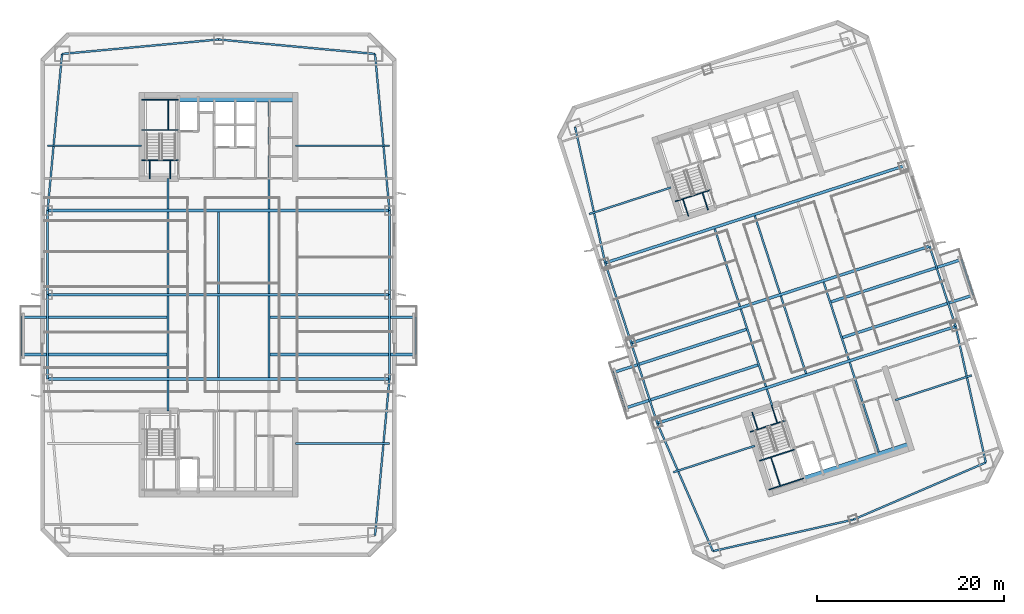
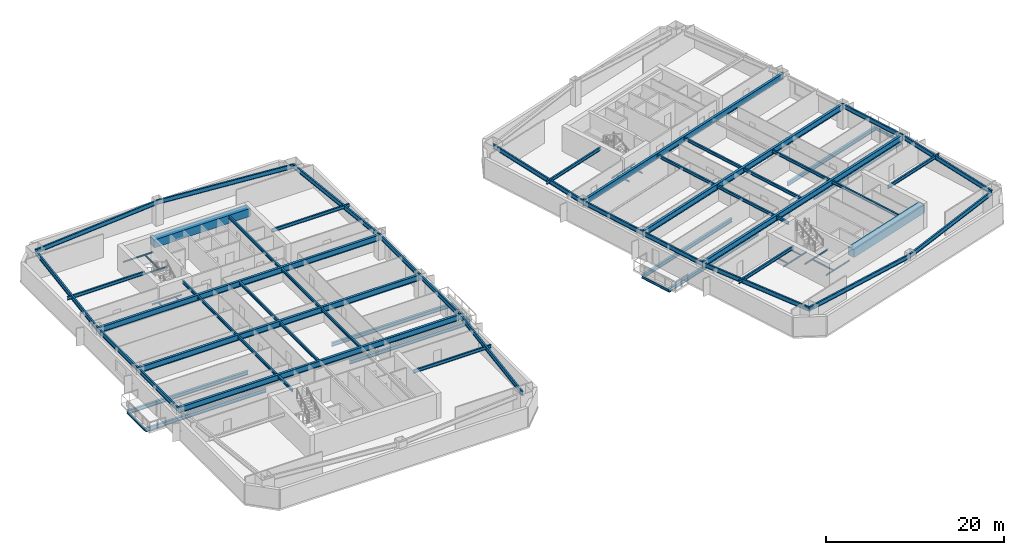
# One storey, part 2 of 16: 74 beams.
"""IFC4 building model written with IfcOpenShell, lengths in metres."""

from ifc_helpers import new_model, si_unit, direction, frame, origin, origin_2d, place, context, subcontext, project, spatial, rectangle, i_section, extrude, material, material_profile, profile_set, type_object, element, save


model = new_model("IFC4")

# Units and contexts
model_context = context("Model", 3, precision=1e-05, world=origin(), true_north=direction((0.0, 1.0)))
body_context = subcontext(model_context, "Body", "Model", "MODEL_VIEW")
ifc_project = project(units=[si_unit("LENGTHUNIT", "METRE"), si_unit("AREAUNIT", "SQUARE_METRE"), si_unit("VOLUMEUNIT", "CUBIC_METRE"), si_unit("PLANEANGLEUNIT", "RADIAN"), si_unit("MASSUNIT", "GRAM", prefix="KILO")], contexts=[model_context])

# Site, building, storey
site_placement = place(None, origin())
site = spatial("IfcSite", under=ifc_project, at=site_placement, CompositionType="ELEMENT")
building_placement = place(site_placement, origin())
building = spatial("IfcBuilding", under=site, at=building_placement, Name="Qiaolan Cultural Towers", CompositionType="ELEMENT")
storey_placement = place(building_placement, frame((0.0, 0.0, 110.39990234375)))
storey = spatial("IfcBuildingStorey", under=building, at=storey_placement, Name="L28", CompositionType="ELEMENT", Elevation=110.39990234375)

# Beams
ifc_material_1 = material(Name="Steel Q355B", Category="steel")
ifc_material_profile_1 = material_profile(ifc_material_1, i_section(OverallWidth=0.300048828125, OverallDepth=0.488037109375, WebThickness=0.010986328125, FlangeThickness=0.01806640625, at=origin_2d()), Name="HM488x300x11x18")
ifc_profile_set_1 = profile_set([ifc_material_profile_1], Name="Steel Q355B")
beam_type_1 = type_object("IfcBeamType", Name="BM-HM488x300x11x18", PredefinedType="BEAM", material=ifc_profile_set_1)
for number, where, z_axis, x_axis, name in (
    (1, (24.60009765625, 27.60009765625, -0.52392578125), (-1.0, 0.0, 0.0), (0.0, -1.0, 0.0), "L28 T1 Tree Balcony Back-Spanned Bracket Beam"),
    (2, (24.60009765625, 31.60009765625, -0.52392578125), (-1.0, 0.0, 0.0), (0.0, -1.0, 0.0), "L28 T1 Tree Balcony Back-Spanned Bracket Beam"),
    (3, (35.39990234375, 27.60009765625, -0.52392578125), (1.0, 0.0, 0.0), (0.0, 1.0, 0.0), "L28 T1 Tree Balcony Back-Spanned Bracket Beam"),
    (4, (35.39990234375, 31.60009765625, -0.52392578125), (1.0, 0.0, 0.0), (0.0, 1.0, 0.0), "L28 T1 Tree Balcony Back-Spanned Bracket Beam"),
):
    element("IfcBeam", number, at=place(storey_placement, frame(where, z_axis=z_axis, x_axis=x_axis)), inside=storey, type_object=beam_type_1, Name=name, PredefinedType="BEAM", context=body_context, shape_type="SweptSolid", body=[
        extrude(i_section(OverallWidth=0.300048828125, OverallDepth=0.488037109375, WebThickness=0.010986328125, FlangeThickness=0.01806640625, at=origin_2d()), origin(), (0.0, 0.0, 1.0), 15.650146484375),
    ])
for number, where, z_axis, x_axis, name in (
    (5, (87.697998046875, 26.522705078125, -0.52392578125), (-0.951058384903, -0.309011243331, 0.0), (0.309011243331, -0.951058384903, 0.0), "L28 T2 Tree Balcony Back-Spanned Bracket Beam"),
    (6, (86.4619140625, 30.326904296875, -0.52392578125), (-0.951058384903, -0.309011243331, 0.0), (0.309011243331, -0.951058384903, 0.0), "L28 T2 Tree Balcony Back-Spanned Bracket Beam"),
):
    element("IfcBeam", number, at=place(storey_placement, frame(where, z_axis=z_axis, x_axis=x_axis)), inside=storey, type_object=beam_type_1, Name=name, PredefinedType="BEAM", context=body_context, shape_type="SweptSolid", body=[
        extrude(i_section(OverallWidth=0.300048828125, OverallDepth=0.488037109375, WebThickness=0.010986328125, FlangeThickness=0.01806640625, at=origin_2d()), origin(), (0.0, 0.0, 1.0), 15.050048828125),
    ])
for number, where, z_axis, x_axis, name in (
    (7, (96.542724609375, 29.396484375, -0.52392578125), (0.951054379921, 0.309023569382, 0.0), (-0.309023569382, 0.951054379921, 0.0), "L28 T2 Tree Balcony Back-Spanned Bracket Beam"),
    (8, (95.306640625, 33.20068359375, -0.52392578125), (0.951054379921, 0.309023569382, 0.0), (-0.309023569382, 0.951054379921, 0.0), "L28 T2 Tree Balcony Back-Spanned Bracket Beam"),
):
    element("IfcBeam", number, at=place(storey_placement, frame(where, z_axis=z_axis, x_axis=x_axis)), inside=storey, type_object=beam_type_1, Name=name, PredefinedType="BEAM", context=body_context, shape_type="SweptSolid", body=[
        extrude(i_section(OverallWidth=0.300048828125, OverallDepth=0.488037109375, WebThickness=0.010986328125, FlangeThickness=0.01806640625, at=origin_2d()), origin(), (0.0, 0.0, 1.0), 14.75),
    ])
ifc_material_2 = material(Name="Steel Q355B", Category="steel")
ifc_material_profile_2 = material_profile(ifc_material_2, i_section(OverallWidth=0.300048828125, OverallDepth=0.800048828125, WebThickness=0.013916015625, FlangeThickness=0.02587890625, at=origin_2d()), Name="HN800x300x14x26")
ifc_profile_set_2 = profile_set([ifc_material_profile_2], Name="Steel Q355B")
beam_type_2 = type_object("IfcBeamType", Name="BM-HN800x300x14x26", PredefinedType="BEAM", material=ifc_profile_set_2)
for number, where, z_axis, x_axis, name in (
    (9, (11.75, 25.0, 2.7900390625), (1.0, 0.0, 0.0), (0.0, 1.0, 0.0), "L28 T1 Primary Transverse Girder V1"),
    (10, (11.75, 34.0, 2.7900390625), (1.0, 0.0, 0.0), (0.0, 1.0, 0.0), "L28 T1 Primary Transverse Girder V2"),
    (11, (11.75, 43.0, 2.7900390625), (1.0, 0.0, 0.0), (0.0, 1.0, 0.0), "L28 T1 Primary Transverse Girder V3"),
):
    element("IfcBeam", number, at=place(storey_placement, frame(where, z_axis=z_axis, x_axis=x_axis)), inside=storey, type_object=beam_type_2, Name=name, PredefinedType="BEAM", context=body_context, shape_type="SweptSolid", body=[
        extrude(i_section(OverallWidth=0.300048828125, OverallDepth=0.800048828125, WebThickness=0.013916015625, FlangeThickness=0.02587890625, at=origin_2d()), origin(), (0.0, 0.0, 1.0), 36.5),
    ])
for number, where, z_axis, x_axis, name in (
    (12, (76.85107421875, 20.264404296875, 2.7900390625), (0.951056559899, 0.309016860175, 0.0), (-0.309016860175, 0.951056559899, 0.0), "L28 T2 Primary Transverse Girder V1"),
    (13, (74.06982421875, 28.823974609375, 2.7900390625), (0.951056559899, 0.309016860175, 0.0), (-0.309016860175, 0.951056559899, 0.0), "L28 T2 Primary Transverse Girder V2"),
    (14, (71.28857421875, 37.383544921875, 2.7900390625), (0.951056559899, 0.309016860175, 0.0), (-0.309016860175, 0.951056559899, 0.0), "L28 T2 Primary Transverse Girder V3"),
):
    element("IfcBeam", number, at=place(storey_placement, frame(where, z_axis=z_axis, x_axis=x_axis)), inside=storey, type_object=beam_type_2, Name=name, PredefinedType="BEAM", context=body_context, shape_type="SweptSolid", body=[
        extrude(i_section(OverallWidth=0.300048828125, OverallDepth=0.800048828125, WebThickness=0.013916015625, FlangeThickness=0.02587890625, at=origin_2d()), origin(), (0.0, 0.0, 1.0), 33.5),
    ])
ifc_material_3 = material(Name="Steel Q355B", Category="steel")
ifc_material_profile_3 = material_profile(ifc_material_3, i_section(OverallWidth=0.175048828125, OverallDepth=0.35009765625, WebThickness=0.007080078125, FlangeThickness=0.010986328125, at=origin_2d()), Name="HN350x175x7x11")
ifc_profile_set_3 = profile_set([ifc_material_profile_3], Name="Steel Q355B")
beam_type_3 = type_object("IfcBeamType", Name="BM-JST-HN350x175x7x11", PredefinedType="JOIST", material=ifc_profile_set_3)
for number, where, z_axis, x_axis, name in (
    (15, (8.949951171875, 27.60009765625, -0.52392578125), (0.0, 1.0, 0.0), (-1.0, 0.0, 0.0), "L28 T1 Tree Balcony Outer Edge Beam"),
    (16, (51.050048828125, 27.60009765625, -0.52392578125), (0.0, 1.0, 0.0), (-1.0, 0.0, 0.0), "L28 T1 Tree Balcony Outer Edge Beam"),
    (17, (73.384521484375, 21.8720703125, -0.52392578125), (-0.309022586479, 0.951054699292, 0.0), (-0.951054699292, -0.309022586479, 0.0), "L28 T2 Tree Balcony Outer Edge Beam"),
    (18, (110.57080078125, 33.95458984375, -0.52392578125), (-0.309022586479, 0.951054699292, 0.0), (-0.951054699292, -0.309022586479, 0.0), "L28 T2 Tree Balcony Outer Edge Beam"),
):
    element("IfcBeam", number, at=place(storey_placement, frame(where, z_axis=z_axis, x_axis=x_axis)), inside=storey, type_object=beam_type_3, Name=name, PredefinedType="JOIST", context=body_context, shape_type="SweptSolid", body=[
        extrude(i_section(OverallWidth=0.175048828125, OverallDepth=0.35009765625, WebThickness=0.007080078125, FlangeThickness=0.010986328125, at=origin_2d()), origin(), (0.0, 0.0, 1.0), 4.0),
    ])
ifc_material_4 = material(Name="Steel Q355B", Category="steel")
ifc_material_profile_4 = material_profile(ifc_material_4, i_section(OverallWidth=0.199951171875, OverallDepth=0.39990234375, WebThickness=0.008056640625, FlangeThickness=0.012939453125, at=origin_2d()), Name="HN400x200x8x13")
ifc_profile_set_4 = profile_set([ifc_material_profile_4], Name="Steel Q355B")
beam_type_4 = type_object("IfcBeamType", Name="BM-JST-HN400x200x8x13", PredefinedType="JOIST", material=ifc_profile_set_4)
beam_1_placement = place(storey_placement, frame((24.60009765625, 21.60009765625, 2.989990234375), z_axis=(0.0, 1.0, 0.0), x_axis=(-1.0, 0.0, 0.0)))
element("IfcBeam", 19, at=beam_1_placement, inside=storey, type_object=beam_type_4, Name="L28 T1 Secondary Floor Joist U1-1", PredefinedType="JOIST", context=body_context, shape_type="SweptSolid", body=[
    extrude(i_section(OverallWidth=0.199951171875, OverallDepth=0.39990234375, WebThickness=0.008056640625, FlangeThickness=0.012939453125, at=origin_2d()), origin(), (0.0, 0.0, 1.0), 3.25),
])
for number, where, z_axis, x_axis, name in (
    (20, (24.60009765625, 25.14990234375, 2.989990234375), (0.0, 1.0, 0.0), (-1.0, 0.0, 0.0), "L28 T1 Secondary Floor Joist U1-2"),
    (21, (24.60009765625, 34.14990234375, 2.989990234375), (0.0, 1.0, 0.0), (-1.0, 0.0, 0.0), "L28 T1 Secondary Floor Joist U1-3"),
):
    element("IfcBeam", number, at=place(storey_placement, frame(where, z_axis=z_axis, x_axis=x_axis)), inside=storey, type_object=beam_type_4, Name=name, PredefinedType="JOIST", context=body_context, shape_type="SweptSolid", body=[
        extrude(i_section(OverallWidth=0.199951171875, OverallDepth=0.39990234375, WebThickness=0.008056640625, FlangeThickness=0.012939453125, at=origin_2d()), origin(), (0.0, 0.0, 1.0), 8.7001953125),
    ])
beam_2_placement = place(storey_placement, frame((24.60009765625, 43.14990234375, 2.989990234375), z_axis=(0.0, 1.0, 0.0), x_axis=(-1.0, 0.0, 0.0)))
element("IfcBeam", 22, at=beam_2_placement, inside=storey, type_object=beam_type_4, Name="L28 T1 Secondary Floor Joist U1-4", PredefinedType="JOIST", context=body_context, shape_type="SweptSolid", body=[
    extrude(i_section(OverallWidth=0.199951171875, OverallDepth=0.39990234375, WebThickness=0.008056640625, FlangeThickness=0.012939453125, at=origin_2d()), origin(), (0.0, 0.0, 1.0), 3.25),
])
for number, where, z_axis, x_axis, name in (
    (23, (30.0, 25.14990234375, 2.989990234375), (0.0, 1.0, 0.0), (-1.0, 0.0, 0.0), "L28 T1 Secondary Floor Joist U2-2"),
    (24, (30.0, 34.14990234375, 2.989990234375), (0.0, 1.0, 0.0), (-1.0, 0.0, 0.0), "L28 T1 Secondary Floor Joist U2-3"),
    (25, (35.39990234375, 25.14990234375, 2.989990234375), (0.0, 1.0, 0.0), (-1.0, 0.0, 0.0), "L28 T1 Secondary Floor Joist U3-2"),
    (26, (35.39990234375, 34.14990234375, 2.989990234375), (0.0, 1.0, 0.0), (-1.0, 0.0, 0.0), "L28 T1 Secondary Floor Joist U3-3"),
):
    element("IfcBeam", number, at=place(storey_placement, frame(where, z_axis=z_axis, x_axis=x_axis)), inside=storey, type_object=beam_type_4, Name=name, PredefinedType="JOIST", context=body_context, shape_type="SweptSolid", body=[
        extrude(i_section(OverallWidth=0.199951171875, OverallDepth=0.39990234375, WebThickness=0.008056640625, FlangeThickness=0.012939453125, at=origin_2d()), origin(), (0.0, 0.0, 1.0), 8.7001953125),
    ])
beam_3_placement = place(storey_placement, frame((35.39990234375, 43.14990234375, 2.989990234375), z_axis=(0.0, 1.0, 0.0), x_axis=(-1.0, 0.0, 0.0)))
element("IfcBeam", 27, at=beam_3_placement, inside=storey, type_object=beam_type_4, Name="L28 T1 Secondary Floor Joist U3-4", PredefinedType="JOIST", context=body_context, shape_type="SweptSolid", body=[
    extrude(i_section(OverallWidth=0.199951171875, OverallDepth=0.39990234375, WebThickness=0.008056640625, FlangeThickness=0.012939453125, at=origin_2d()), origin(), (0.0, 0.0, 1.0), 11.4501953125),
])
beam_4_placement = place(storey_placement, frame((89.119384765625, 22.147705078125, 2.989990234375), z_axis=(-0.308933885266, 0.951083516067, 0.0), x_axis=(-0.951083516067, -0.308933885266, 0.0)))
element("IfcBeam", 28, at=beam_4_placement, inside=storey, type_object=beam_type_4, Name="L28 T2 Secondary Floor Joist U1-1", PredefinedType="JOIST", context=body_context, shape_type="SweptSolid", body=[
    extrude(i_section(OverallWidth=0.199951171875, OverallDepth=0.39990234375, WebThickness=0.008056640625, FlangeThickness=0.012939453125, at=origin_2d()), origin(), (0.0, 0.0, 1.0), 1.85009765625),
])
for number, where, z_axis, x_axis, name in (
    (29, (88.455078125, 24.192626953125, 2.989990234375), (-0.309020714809, 0.951055307445, 0.0), (-0.951055307445, -0.309020714809, 0.0), "L28 T2 Secondary Floor Joist U1-2"),
    (30, (85.673828125, 32.752197265625, 2.989990234375), (-0.309020714809, 0.951055307445, 0.0), (-0.951055307445, -0.309020714809, 0.0), "L28 T2 Secondary Floor Joist U1-3"),
    (31, (92.73486328125, 25.583251953125, 2.989990234375), (-0.309020714809, 0.951055307445, 0.0), (-0.951055307445, -0.309020714809, 0.0), "L28 T2 Secondary Floor Joist U2-2"),
    (32, (89.95361328125, 34.142578125, 2.989990234375), (-0.309020714809, 0.951055307445, 0.0), (-0.951055307445, -0.309020714809, 0.0), "L28 T2 Secondary Floor Joist U2-3"),
):
    element("IfcBeam", number, at=place(storey_placement, frame(where, z_axis=z_axis, x_axis=x_axis)), inside=storey, type_object=beam_type_4, Name=name, PredefinedType="JOIST", context=body_context, shape_type="SweptSolid", body=[
        extrude(i_section(OverallWidth=0.199951171875, OverallDepth=0.39990234375, WebThickness=0.008056640625, FlangeThickness=0.012939453125, at=origin_2d()), origin(), (0.0, 0.0, 1.0), 8.699951171875),
    ])
beam_5_placement = place(storey_placement, frame((100.498291015625, 17.222900390625, 2.989990234375), z_axis=(-0.309025649293, 0.951053704098, 0.0), x_axis=(-0.951053704098, -0.309025649293, 0.0)))
element("IfcBeam", 33, at=beam_5_placement, inside=storey, type_object=beam_type_4, Name="L28 T2 Secondary Floor Joist U3-1", PredefinedType="JOIST", context=body_context, shape_type="SweptSolid", body=[
    extrude(i_section(OverallWidth=0.199951171875, OverallDepth=0.39990234375, WebThickness=0.008056640625, FlangeThickness=0.012939453125, at=origin_2d()), origin(), (0.0, 0.0, 1.0), 10.050048828125),
])
beam_6_placement = place(storey_placement, frame((97.2998046875, 27.06640625, 2.989990234375), z_axis=(-0.309020714809, 0.951055307445, 0.0), x_axis=(-0.951055307445, -0.309020714809, 0.0)))
element("IfcBeam", 34, at=beam_6_placement, inside=storey, type_object=beam_type_4, Name="L28 T2 Secondary Floor Joist U3-2", PredefinedType="JOIST", context=body_context, shape_type="SweptSolid", body=[
    extrude(i_section(OverallWidth=0.199951171875, OverallDepth=0.39990234375, WebThickness=0.008056640625, FlangeThickness=0.012939453125, at=origin_2d()), origin(), (0.0, 0.0, 1.0), 8.699951171875),
])
ifc_material_5 = material(Name="Steel Q355B", Category="steel")
ifc_material_profile_5 = material_profile(ifc_material_5, i_section(OverallWidth=0.199951171875, OverallDepth=0.449951171875, WebThickness=0.009033203125, FlangeThickness=0.013916015625, at=origin_2d()), Name="HN450x200x9x14")
ifc_profile_set_5 = profile_set([ifc_material_profile_5], Name="Steel Q355B")
beam_type_5 = type_object("IfcBeamType", Name="BM-LNT-HN450x200x9x14", PredefinedType="LINTEL", material=ifc_profile_set_5)
for number, where, z_axis, x_axis, name in (
    (35, (21.800048828125, 49.89990234375, 2.965087890625), (-1.0, 0.0, 0.0), (0.0, -1.0, 0.0), "L28 T1 Core Flank Tie Lintel WN"),
    (36, (38.199951171875, 18.10009765625, 2.965087890625), (1.0, 0.0, 0.0), (0.0, 1.0, 0.0), "L28 T1 Core Flank Tie Lintel ES"),
    (37, (38.199951171875, 49.89990234375, 2.965087890625), (1.0, 0.0, 0.0), (0.0, 1.0, 0.0), "L28 T1 Core Flank Tie Lintel EN"),
):
    element("IfcBeam", number, at=place(storey_placement, frame(where, z_axis=z_axis, x_axis=x_axis)), inside=storey, type_object=beam_type_5, Name=name, PredefinedType="LINTEL", context=body_context, shape_type="SweptSolid", body=[
        extrude(i_section(OverallWidth=0.199951171875, OverallDepth=0.449951171875, WebThickness=0.009033203125, FlangeThickness=0.013916015625, at=origin_2d()), origin(), (0.0, 0.0, 1.0), 10.050048828125),
    ])
for number, where, z_axis, x_axis, name in (
    (38, (87.252685546875, 17.861083984375, 2.965087890625), (-0.951059948176, -0.309006431933, 0.0), (0.309006431933, -0.951059948176, 0.0), "L28 T2 Core Flank Tie Lintel WS"),
    (39, (78.291259765625, 45.44189453125, 2.965087890625), (-0.951052106475, -0.309030566076, 0.0), (0.309030566076, -0.951052106475, 0.0), "L28 T2 Core Flank Tie Lintel WN"),
):
    element("IfcBeam", number, at=place(storey_placement, frame(where, z_axis=z_axis, x_axis=x_axis)), inside=storey, type_object=beam_type_5, Name=name, PredefinedType="LINTEL", context=body_context, shape_type="SweptSolid", body=[
        extrude(i_section(OverallWidth=0.199951171875, OverallDepth=0.449951171875, WebThickness=0.009033203125, FlangeThickness=0.013916015625, at=origin_2d()), origin(), (0.0, 0.0, 1.0), 9.14990234375),
    ])
beam_7_placement = place(storey_placement, frame((102.279296875, 22.74365234375, 2.965087890625), z_axis=(0.951057358187, 0.309014403287, 0.0), x_axis=(-0.309014403287, 0.951057358187, 0.0)))
element("IfcBeam", 40, at=beam_7_placement, inside=storey, type_object=beam_type_5, Name="L28 T2 Core Flank Tie Lintel ES", PredefinedType="LINTEL", context=body_context, shape_type="SweptSolid", body=[
    extrude(i_section(OverallWidth=0.199951171875, OverallDepth=0.449951171875, WebThickness=0.009033203125, FlangeThickness=0.013916015625, at=origin_2d()), origin(), (0.0, 0.0, 1.0), 8.550048828125),
])
ifc_material_6 = material(Name="Concrete C50", Category="concrete")
ifc_material_profile_6 = material_profile(ifc_material_6, rectangle(XDim=0.89990234375, YDim=1.10009765625, at=origin_2d()), Name="RC900x1100")
ifc_profile_set_6 = profile_set([ifc_material_profile_6], Name="Concrete C50")
beam_type_6 = type_object("IfcBeamType", Name="BM-RC900x1100", PredefinedType="BEAM", material=ifc_profile_set_6)
beam_8_placement = place(storey_placement, frame((25.719970703125, 55.050048828125, 2.64013671875), z_axis=(1.0, 0.0, 0.0), x_axis=(0.0, 1.0, 0.0)))
element("IfcBeam", 41, at=beam_8_placement, inside=storey, type_object=beam_type_6, Name="L28 T1 Core Header Girder N", PredefinedType="BEAM", context=body_context, shape_type="SweptSolid", body=[
    extrude(rectangle(XDim=0.89990234375, YDim=1.10009765625, at=origin_2d()), origin(), (0.0, 0.0, 1.0), 12.47998046875),
])
beam_9_placement = place(storey_placement, frame((92.572265625, 14.174560546875, 2.64013671875), z_axis=(0.951056266386, 0.309017763514, 0.0), x_axis=(-0.309017763514, 0.951056266386, 0.0)))
element("IfcBeam", 42, at=beam_9_placement, inside=storey, type_object=beam_type_6, Name="L28 T2 Core Header Girder S", PredefinedType="BEAM", context=body_context, shape_type="SweptSolid", body=[
    extrude(rectangle(XDim=0.89990234375, YDim=1.10009765625, at=origin_2d()), origin(), (0.0, 0.0, 1.0), 11.880126953125),
])
ifc_material_7 = material(Name="Steel Q355B", Category="steel")
ifc_material_profile_7 = material_profile(ifc_material_7, i_section(OverallWidth=0.199951171875, OverallDepth=0.60009765625, WebThickness=0.010986328125, FlangeThickness=0.01708984375, at=origin_2d()), Name="HN600x200x11x17")
ifc_profile_set_7 = profile_set([ifc_material_profile_7], Name="Steel Q355B")
beam_type_7 = type_object("IfcBeamType", Name="BM-SPD-HN600x200x11x17", PredefinedType="SPANDREL", material=ifc_profile_set_7)
beam_10_placement = place(storey_placement, frame((46.7099609375, 8.2900390625, 2.89013671875), z_axis=(0.09177399582, 0.995779862064, 0.0), x_axis=(-0.995779862064, 0.09177399582, 0.0)))
element("IfcBeam", 43, at=beam_10_placement, inside=storey, type_object=beam_type_7, Name="L28 T1 Perimeter Spandrel Beam 3", PredefinedType="SPANDREL", context=body_context, shape_type="SweptSolid", body=[
    extrude(i_section(OverallWidth=0.199951171875, OverallDepth=0.60009765625, WebThickness=0.010986328125, FlangeThickness=0.01708984375, at=origin_2d()), origin(), (0.0, 0.0, 1.0), 16.78076171875),
])
for number, where, z_axis, x_axis, name in (
    (44, (48.25, 25.0, 2.89013671875), (0.0, 1.0, 0.0), (-1.0, 0.0, 0.0), "L28 T1 Perimeter Spandrel Beam 4"),
    (45, (48.25, 34.0, 2.89013671875), (0.0, 1.0, 0.0), (-1.0, 0.0, 0.0), "L28 T1 Perimeter Spandrel Beam 5"),
):
    element("IfcBeam", number, at=place(storey_placement, frame(where, z_axis=z_axis, x_axis=x_axis)), inside=storey, type_object=beam_type_7, Name=name, PredefinedType="SPANDREL", context=body_context, shape_type="SweptSolid", body=[
        extrude(i_section(OverallWidth=0.199951171875, OverallDepth=0.60009765625, WebThickness=0.010986328125, FlangeThickness=0.01708984375, at=origin_2d()), origin(), (0.0, 0.0, 1.0), 9.0),
    ])
for number, where, z_axis, x_axis, name in (
    (46, (48.25, 43.0, 2.89013671875), (-0.09177399582, 0.995779862064, 0.0), (-0.995779862064, -0.09177399582, 0.0), "L28 T1 Perimeter Spandrel Beam 6"),
    (47, (46.7099609375, 59.7099609375, 2.89013671875), (-0.995779862064, 0.09177399582, 0.0), (-0.09177399582, -0.995779862064, 0.0), "L28 T1 Perimeter Spandrel Beam 7"),
    (48, (30.0, 61.25, 2.89013671875), (-0.995779862064, -0.09177399582, 0.0), (0.09177399582, -0.995779862064, 0.0), "L28 T1 Perimeter Spandrel Beam 8"),
    (49, (13.2900390625, 59.7099609375, 2.89013671875), (-0.09177399582, -0.995779862064, 0.0), (0.995779862064, -0.09177399582, 0.0), "L28 T1 Perimeter Spandrel Beam 9"),
):
    element("IfcBeam", number, at=place(storey_placement, frame(where, z_axis=z_axis, x_axis=x_axis)), inside=storey, type_object=beam_type_7, Name=name, PredefinedType="SPANDREL", context=body_context, shape_type="SweptSolid", body=[
        extrude(i_section(OverallWidth=0.199951171875, OverallDepth=0.60009765625, WebThickness=0.010986328125, FlangeThickness=0.01708984375, at=origin_2d()), origin(), (0.0, 0.0, 1.0), 16.78076171875),
    ])
for number, where, z_axis, x_axis, name in (
    (50, (11.75, 43.0, 2.89013671875), (0.0, -1.0, 0.0), (1.0, 0.0, 0.0), "L28 T1 Perimeter Spandrel Beam 10"),
    (51, (11.75, 34.0, 2.89013671875), (0.0, -1.0, 0.0), (1.0, 0.0, 0.0), "L28 T1 Perimeter Spandrel Beam 11"),
):
    element("IfcBeam", number, at=place(storey_placement, frame(where, z_axis=z_axis, x_axis=x_axis)), inside=storey, type_object=beam_type_7, Name=name, PredefinedType="SPANDREL", context=body_context, shape_type="SweptSolid", body=[
        extrude(i_section(OverallWidth=0.199951171875, OverallDepth=0.60009765625, WebThickness=0.010986328125, FlangeThickness=0.01708984375, at=origin_2d()), origin(), (0.0, 0.0, 1.0), 9.0),
    ])
beam_11_placement = place(storey_placement, frame((82.79052734375, 6.611572265625, 2.89013671875), z_axis=(0.975658154374, 0.219296980836, 0.0), x_axis=(-0.219296980836, 0.975658154374, 0.0)))
element("IfcBeam", 52, at=beam_11_placement, inside=storey, type_object=beam_type_7, Name="L28 T2 Perimeter Spandrel Beam 1", PredefinedType="SPANDREL", context=body_context, shape_type="SweptSolid", body=[
    extrude(i_section(OverallWidth=0.199951171875, OverallDepth=0.60009765625, WebThickness=0.010986328125, FlangeThickness=0.01708984375, at=origin_2d()), origin(), (0.0, 0.0, 1.0), 15.38671875),
])
beam_12_placement = place(storey_placement, frame((97.802734375, 9.98583984375, 2.89013671875), z_axis=(0.918217549337, 0.396076422032, 0.0), x_axis=(-0.396076422032, 0.918217549337, 0.0)))
element("IfcBeam", 53, at=beam_12_placement, inside=storey, type_object=beam_type_7, Name="L28 T2 Perimeter Spandrel Beam 2", PredefinedType="SPANDREL", context=body_context, shape_type="SweptSolid", body=[
    extrude(i_section(OverallWidth=0.199951171875, OverallDepth=0.60009765625, WebThickness=0.010986328125, FlangeThickness=0.01708984375, at=origin_2d()), origin(), (0.0, 0.0, 1.0), 15.386474609375),
])
beam_13_placement = place(storey_placement, frame((111.930908203125, 16.080078125, 2.89013671875), z_axis=(-0.216237644833, 0.976340760676, 0.0), x_axis=(-0.976340760676, -0.216237644833, 0.0)))
element("IfcBeam", 54, at=beam_13_placement, inside=storey, type_object=beam_type_7, Name="L28 T2 Perimeter Spandrel Beam 3", PredefinedType="SPANDREL", context=body_context, shape_type="SweptSolid", body=[
    extrude(i_section(OverallWidth=0.199951171875, OverallDepth=0.60009765625, WebThickness=0.010986328125, FlangeThickness=0.01708984375, at=origin_2d()), origin(), (0.0, 0.0, 1.0), 14.888671875),
])
beam_14_placement = place(storey_placement, frame((108.71142578125, 30.616455078125, 2.89013671875), z_axis=(-0.309024734286, 0.951054001411, 0.0), x_axis=(-0.951054001411, -0.309024734286, 0.0)))
element("IfcBeam", 55, at=beam_14_placement, inside=storey, type_object=beam_type_7, Name="L28 T2 Perimeter Spandrel Beam 4", PredefinedType="SPANDREL", context=body_context, shape_type="SweptSolid", body=[
    extrude(i_section(OverallWidth=0.199951171875, OverallDepth=0.60009765625, WebThickness=0.010986328125, FlangeThickness=0.01708984375, at=origin_2d()), origin(), (0.0, 0.0, 1.0), 9.0),
])
beam_15_placement = place(storey_placement, frame((68.069091796875, 51.919921875, 2.89013671875), z_axis=(0.216237644833, -0.976340760676, 0.0), x_axis=(0.976340760676, 0.216237644833, 0.0)))
element("IfcBeam", 56, at=beam_15_placement, inside=storey, type_object=beam_type_7, Name="L28 T2 Perimeter Spandrel Beam 9", PredefinedType="SPANDREL", context=body_context, shape_type="SweptSolid", body=[
    extrude(i_section(OverallWidth=0.199951171875, OverallDepth=0.60009765625, WebThickness=0.010986328125, FlangeThickness=0.01708984375, at=origin_2d()), origin(), (0.0, 0.0, 1.0), 14.888671875),
])
for number, where, z_axis, x_axis, name in (
    (57, (71.28857421875, 37.383544921875, 2.89013671875), (0.309024734286, -0.951054001411, 0.0), (0.951054001411, 0.309024734286, 0.0), "L28 T2 Perimeter Spandrel Beam 10"),
    (58, (74.06982421875, 28.823974609375, 2.89013671875), (0.309024734286, -0.951054001411, 0.0), (0.951054001411, 0.309024734286, 0.0), "L28 T2 Perimeter Spandrel Beam 11"),
):
    element("IfcBeam", number, at=place(storey_placement, frame(where, z_axis=z_axis, x_axis=x_axis)), inside=storey, type_object=beam_type_7, Name=name, PredefinedType="SPANDREL", context=body_context, shape_type="SweptSolid", body=[
        extrude(i_section(OverallWidth=0.199951171875, OverallDepth=0.60009765625, WebThickness=0.010986328125, FlangeThickness=0.01708984375, at=origin_2d()), origin(), (0.0, 0.0, 1.0), 9.0),
    ])
beam_16_placement = place(storey_placement, frame((76.85107421875, 20.264404296875, 2.89013671875), z_axis=(0.398920370799, -0.916985571185, 0.0), x_axis=(0.916985571185, 0.398920370799, 0.0)))
element("IfcBeam", 59, at=beam_16_placement, inside=storey, type_object=beam_type_7, Name="L28 T2 Perimeter Spandrel Beam 12", PredefinedType="SPANDREL", context=body_context, shape_type="SweptSolid", body=[
    extrude(i_section(OverallWidth=0.199951171875, OverallDepth=0.60009765625, WebThickness=0.010986328125, FlangeThickness=0.01708984375, at=origin_2d()), origin(), (0.0, 0.0, 1.0), 14.888916015625),
])
ifc_material_8 = material(Name="Steel Q355B", Category="steel")
ifc_material_profile_8 = material_profile(ifc_material_8, i_section(OverallWidth=0.10009765625, OverallDepth=0.199951171875, WebThickness=0.005615234375, FlangeThickness=0.008056640625, at=origin_2d()), Name="HN200x100x5.5x8")
ifc_profile_set_8 = profile_set([ifc_material_profile_8], Name="Steel Q355B")
beam_type_8 = type_object("IfcBeamType", Name="BM-STTRIM-200", PredefinedType="BEAM", material=ifc_profile_set_8)
beam_17_placement = place(storey_placement, frame((21.800048828125, 48.340087890625, -0.4599609375), z_axis=(1.0, 0.0, 0.0), x_axis=(0.0, 1.0, 0.0)))
element("IfcBeam", 60, at=beam_17_placement, inside=storey, type_object=beam_type_8, Name="L28 ST-W2 Floor Landing Header Beam", PredefinedType="BEAM", context=body_context, shape_type="SweptSolid", body=[
    extrude(i_section(OverallWidth=0.10009765625, OverallDepth=0.199951171875, WebThickness=0.005615234375, FlangeThickness=0.008056640625, at=origin_2d()), origin(), (0.0, 0.0, 1.0), 3.919921875),
])
for number, where, z_axis, x_axis, name in (
    (61, (22.64990234375, 46.39990234375, -0.4599609375), (0.0, 1.0, 0.0), (-1.0, 0.0, 0.0), "L28 ST-W2 Floor Landing Stringer 1"),
    (62, (24.85009765625, 46.39990234375, -0.4599609375), (0.0, 1.0, 0.0), (-1.0, 0.0, 0.0), "L28 ST-W2 Floor Landing Stringer 2"),
):
    element("IfcBeam", number, at=place(storey_placement, frame(where, z_axis=z_axis, x_axis=x_axis)), inside=storey, type_object=beam_type_8, Name=name, PredefinedType="BEAM", context=body_context, shape_type="SweptSolid", body=[
        extrude(i_section(OverallWidth=0.10009765625, OverallDepth=0.199951171875, WebThickness=0.005615234375, FlangeThickness=0.008056640625, at=origin_2d()), origin(), (0.0, 0.0, 1.0), 1.940185546875),
    ])
for number, where, z_axis, x_axis, name in (
    (63, (21.800048828125, 51.588623046875, 1.425048828125), (1.0, 0.0, 0.0), (0.0, 1.0, 0.0), "L28 ST-W2 Stair Landing Support Beam 1-1"),
    (64, (21.800048828125, 54.820068359375, 1.425048828125), (1.0, 0.0, 0.0), (0.0, 1.0, 0.0), "L28 ST-W2 Stair Landing Support Beam 1-2"),
):
    element("IfcBeam", number, at=place(storey_placement, frame(where, z_axis=z_axis, x_axis=x_axis)), inside=storey, type_object=beam_type_8, Name=name, PredefinedType="BEAM", context=body_context, shape_type="SweptSolid", body=[
        extrude(i_section(OverallWidth=0.10009765625, OverallDepth=0.199951171875, WebThickness=0.005615234375, FlangeThickness=0.008056640625, at=origin_2d()), origin(), (0.0, 0.0, 1.0), 3.919921875),
    ])
beam_18_placement = place(storey_placement, frame((24.610107421875, 51.588623046875, 1.425048828125), z_axis=(0.0, 1.0, 0.0), x_axis=(-1.0, 0.0, 0.0)))
element("IfcBeam", 65, at=beam_18_placement, inside=storey, type_object=beam_type_8, Name="L28 ST-W2 Stair Landing Trimmer 1", PredefinedType="BEAM", context=body_context, shape_type="SweptSolid", body=[
    extrude(i_section(OverallWidth=0.10009765625, OverallDepth=0.199951171875, WebThickness=0.005615234375, FlangeThickness=0.008056640625, at=origin_2d()), origin(), (0.0, 0.0, 1.0), 3.2314453125),
])
beam_19_placement = place(storey_placement, frame((86.770751953125, 19.3447265625, -0.4599609375), z_axis=(0.951047798727, 0.309043823005, 0.0), x_axis=(-0.309043823005, 0.951047798727, 0.0)))
element("IfcBeam", 66, at=beam_19_placement, inside=storey, type_object=beam_type_8, Name="L28 ST-E1 Floor Landing Header Beam", PredefinedType="BEAM", context=body_context, shape_type="SweptSolid", body=[
    extrude(i_section(OverallWidth=0.10009765625, OverallDepth=0.199951171875, WebThickness=0.005615234375, FlangeThickness=0.008056640625, at=origin_2d()), origin(), (0.0, 0.0, 1.0), 3.919921875),
])
for number, where, z_axis, x_axis, name in (
    (67, (86.9794921875, 21.452392578125, -0.4599609375), (0.309083226701, -0.951034993558, 0.0), (0.951034993558, 0.309083226701, 0.0), "L28 ST-E1 Floor Landing Stringer 1"),
    (68, (89.07177734375, 22.13232421875, -0.4599609375), (0.309083226701, -0.951034993558, 0.0), (0.951034993558, 0.309083226701, 0.0), "L28 ST-E1 Floor Landing Stringer 2"),
):
    element("IfcBeam", number, at=place(storey_placement, frame(where, z_axis=z_axis, x_axis=x_axis)), inside=storey, type_object=beam_type_8, Name=name, PredefinedType="BEAM", context=body_context, shape_type="SweptSolid", body=[
        extrude(i_section(OverallWidth=0.10009765625, OverallDepth=0.199951171875, WebThickness=0.005615234375, FlangeThickness=0.008056640625, at=origin_2d()), origin(), (0.0, 0.0, 1.0), 1.93994140625),
    ])
for number, where, z_axis, x_axis, name in (
    (69, (87.774658203125, 16.255126953125, 1.425048828125), (0.951047798727, 0.309043823005, 0.0), (-0.309043823005, 0.951047798727, 0.0), "L28 ST-E1 Stair Landing Support Beam 1-1"),
    (70, (88.773193359375, 13.181884765625, 1.425048828125), (0.951047798727, 0.309043823005, 0.0), (-0.309043823005, 0.951047798727, 0.0), "L28 ST-E1 Stair Landing Support Beam 1-2"),
):
    element("IfcBeam", number, at=place(storey_placement, frame(where, z_axis=z_axis, x_axis=x_axis)), inside=storey, type_object=beam_type_8, Name=name, PredefinedType="BEAM", context=body_context, shape_type="SweptSolid", body=[
        extrude(i_section(OverallWidth=0.10009765625, OverallDepth=0.199951171875, WebThickness=0.005615234375, FlangeThickness=0.008056640625, at=origin_2d()), origin(), (0.0, 0.0, 1.0), 3.919921875),
    ])
beam_20_placement = place(storey_placement, frame((88.982421875, 16.6474609375, 1.425048828125), z_axis=(0.309033108495, -0.951051280349, 0.0), x_axis=(0.951051280349, 0.309033108495, 0.0)))
element("IfcBeam", 71, at=beam_20_placement, inside=storey, type_object=beam_type_8, Name="L28 ST-E1 Stair Landing Trimmer 1", PredefinedType="BEAM", context=body_context, shape_type="SweptSolid", body=[
    extrude(i_section(OverallWidth=0.10009765625, OverallDepth=0.199951171875, WebThickness=0.005615234375, FlangeThickness=0.008056640625, at=origin_2d()), origin(), (0.0, 0.0, 1.0), 3.231201171875),
])
beam_21_placement = place(storey_placement, frame((78.773193359375, 43.958251953125, -0.4599609375), z_axis=(0.951072048947, 0.3089691857, 0.0), x_axis=(-0.3089691857, 0.951072048947, 0.0)))
element("IfcBeam", 72, at=beam_21_placement, inside=storey, type_object=beam_type_8, Name="L28 ST-E2 Floor Landing Header Beam", PredefinedType="BEAM", context=body_context, shape_type="SweptSolid", body=[
    extrude(i_section(OverallWidth=0.10009765625, OverallDepth=0.199951171875, WebThickness=0.005615234375, FlangeThickness=0.008056640625, at=origin_2d()), origin(), (0.0, 0.0, 1.0), 3.920166015625),
])
for number, where, z_axis, x_axis, name in (
    (73, (80.18115234375, 42.375732421875, -0.4599609375), (-0.308969394428, 0.951071981138, 0.0), (-0.951071981138, -0.308969394428, 0.0), "L28 ST-E2 Floor Landing Stringer 1"),
    (74, (82.2734375, 43.0556640625, -0.4599609375), (-0.308969394428, 0.951071981138, 0.0), (-0.951071981138, -0.308969394428, 0.0), "L28 ST-E2 Floor Landing Stringer 2"),
):
    element("IfcBeam", number, at=place(storey_placement, frame(where, z_axis=z_axis, x_axis=x_axis)), inside=storey, type_object=beam_type_8, Name=name, PredefinedType="BEAM", context=body_context, shape_type="SweptSolid", body=[
        extrude(i_section(OverallWidth=0.10009765625, OverallDepth=0.199951171875, WebThickness=0.005615234375, FlangeThickness=0.008056640625, at=origin_2d()), origin(), (0.0, 0.0, 1.0), 1.93994140625),
    ])

save(model, "model.ifc")
